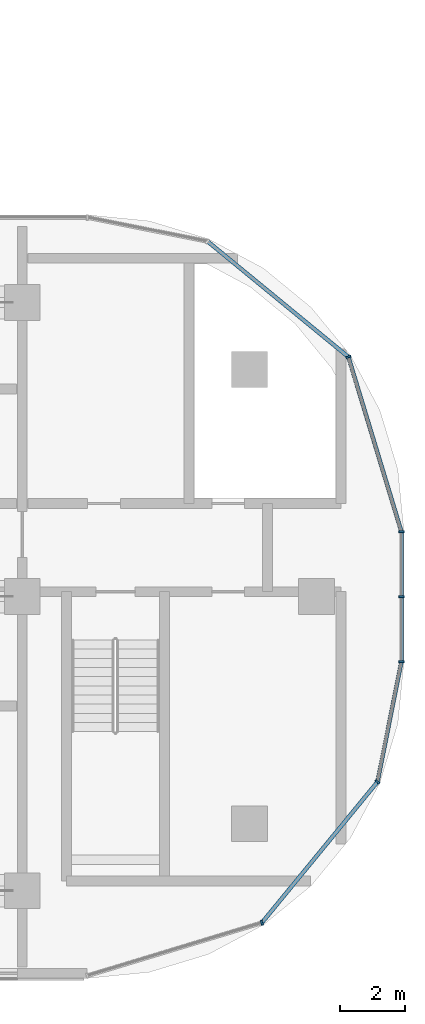
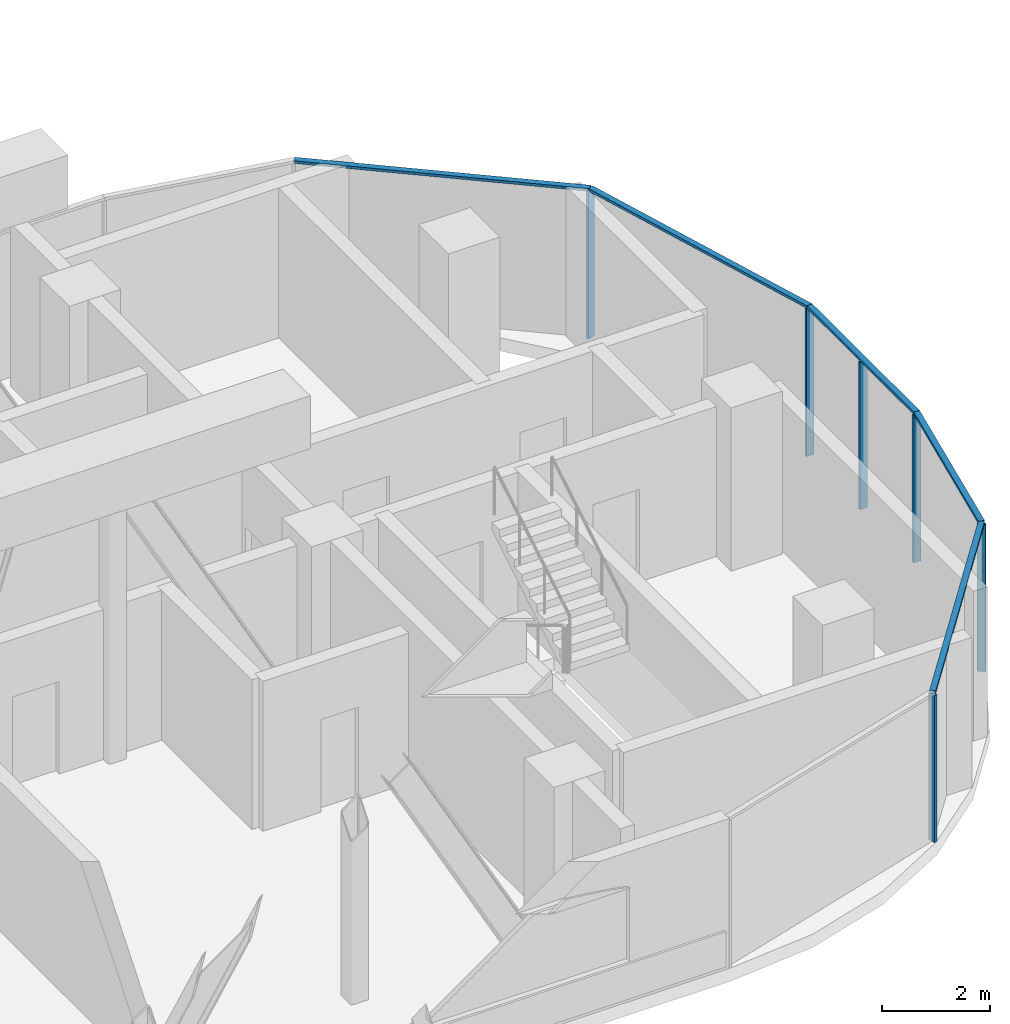
# One storey, part 7 of 25: 11 members, 3 elements without a shape of their own.
"""IFC4 building model written with IfcOpenShell, lengths in metres."""

from ifc_helpers import new_model, si_unit, direction, frame, origin, origin_2d, place, context, subcontext, project, spatial, rectangle, extrude, material, material_profile, profile_set, type_object, element, aggregate, save


model = new_model("IFC4")

# Units and contexts
model_context = context("Model", 3, precision=1e-05, world=origin(), true_north=direction((0.0, 1.0)))
body_context = subcontext(model_context, "Body", "Model", "MODEL_VIEW")
ifc_project = project(units=[si_unit("LENGTHUNIT", "METRE"), si_unit("AREAUNIT", "SQUARE_METRE"), si_unit("VOLUMEUNIT", "CUBIC_METRE"), si_unit("PLANEANGLEUNIT", "RADIAN"), si_unit("MASSUNIT", "GRAM", prefix="KILO")], contexts=[model_context])

# Site, building, storey
site_placement = place(None, origin())
site = spatial("IfcSite", under=ifc_project, at=site_placement, CompositionType="ELEMENT")
building_placement = place(site_placement, origin())
building = spatial("IfcBuilding", under=site, at=building_placement, Name="Ogive Portal Towers", CompositionType="ELEMENT")
storey_placement = place(building_placement, frame((0.0, 0.0, 182.89990234375)))
storey = spatial("IfcBuildingStorey", under=building, at=storey_placement, Name="L45", CompositionType="ELEMENT", Elevation=182.89990234375)

# Curtain wall, members
ifc_material_1 = material(Name="Glass, clear low-iron insulated glazing", Category="glass")
curtain_wall_type = type_object("IfcCurtainWallType", Name="CW FRONT RIBBON 4500", PredefinedType="NOTDEFINED", material=ifc_material_1)
curtain_wall_1_placement = place(storey_placement, origin())
curtain_wall_1 = element("IfcCurtainWall", 1, at=curtain_wall_1_placement, inside=storey, type_object=curtain_wall_type, Name="A:L45:f12:cw0", PredefinedType="NOTDEFINED")
ifc_material_2 = material(Name="Aluminium 6063 anodised", Category="aluminium")
ifc_material_profile_1 = material_profile(ifc_material_2, rectangle(XDim=0.159912109375, YDim=0.06005859375, at=origin_2d()), Name="AL 60x160")
ifc_profile_set_1 = profile_set([ifc_material_profile_1], Name="Aluminium 6063 anodised")
member_type_1 = type_object("IfcMemberType", Name="CW MULLION 60x160", PredefinedType="MULLION", material=ifc_profile_set_1)
member_1_placement = place(storey_placement, frame((97.10009765625, 28.5078125, 0.0), z_axis=(0.0, 0.0, 1.0), x_axis=(-1.0, 0.0, 0.0)))
member_1 = element("IfcMember", 2, at=member_1_placement, type_object=member_type_1, Name="mullion", PredefinedType="MULLION", context=body_context, shape_type="SweptSolid", body=[
    extrude(rectangle(XDim=0.159912109375, YDim=0.06005859375, at=origin_2d()), origin(), (0.0, 0.0, 1.0), 3.340087890625),
])
member_2_placement = place(storey_placement, frame((97.10009765625, 30.5, 0.0), z_axis=(0.0, 0.0, 1.0), x_axis=(-1.0, 0.0, 0.0)))
member_2 = element("IfcMember", 3, at=member_2_placement, type_object=member_type_1, Name="mullion", PredefinedType="MULLION", context=body_context, shape_type="SweptSolid", body=[
    extrude(rectangle(XDim=0.159912109375, YDim=0.06005859375, at=origin_2d()), origin(), (0.0, 0.0, 1.0), 3.340087890625),
])
member_3_placement = place(storey_placement, frame((97.10009765625, 32.488037109375, 0.0), z_axis=(0.0, 0.0, 1.0), x_axis=(-1.0, 0.0, 0.0)))
member_3 = element("IfcMember", 4, at=member_3_placement, type_object=member_type_1, Name="mullion", PredefinedType="MULLION", context=body_context, shape_type="SweptSolid", body=[
    extrude(rectangle(XDim=0.159912109375, YDim=0.06005859375, at=origin_2d()), origin(), (0.0, 0.0, 1.0), 3.340087890625),
])

curtain_wall_2_placement = place(storey_placement, origin())
curtain_wall_2 = element("IfcCurtainWall", 5, at=curtain_wall_2_placement, inside=storey, type_object=curtain_wall_type, Name="A:L45:f09:cwa", PredefinedType="NOTDEFINED")
member_4_placement = place(storey_placement, frame((92.83154296875, 20.52099609375, 0.0), z_axis=(0.0, 0.0, 1.0), x_axis=(-0.290284677254, 0.956940335732, 0.0)))
member_4 = element("IfcMember", 6, at=member_4_placement, type_object=member_type_1, Name="mullion", PredefinedType="MULLION", context=body_context, shape_type="SweptSolid", body=[
    extrude(rectangle(XDim=0.159912109375, YDim=0.06005859375, at=origin_2d()), origin(), (0.0, 0.0, 1.0), 3.340087890625),
])
member_5_placement = place(storey_placement, frame((96.36865234375, 24.830810546875, 0.0), z_axis=(0.0, 0.0, 1.0), x_axis=(-0.773010453363, 0.634393284164, 0.0)))
member_5 = element("IfcMember", 7, at=member_5_placement, type_object=member_type_1, Name="mullion", PredefinedType="MULLION", context=body_context, shape_type="SweptSolid", body=[
    extrude(rectangle(XDim=0.159912109375, YDim=0.06005859375, at=origin_2d()), origin(), (0.0, 0.0, 1.0), 3.340087890625),
])

# Curtain wall, member
curtain_wall_3_placement = place(storey_placement, origin())
curtain_wall_3 = element("IfcCurtainWall", 8, at=curtain_wall_3_placement, inside=storey, type_object=curtain_wall_type, Name="A:L45:f13:cwa", PredefinedType="NOTDEFINED")
member_6_placement = place(storey_placement, frame((95.47900390625, 37.83154296875, 0.0), z_axis=(0.0, 0.0, 1.0), x_axis=(-0.956940335732, -0.290284677254, 0.0)))
member_6 = element("IfcMember", 9, at=member_6_placement, type_object=member_type_1, Name="mullion", PredefinedType="MULLION", context=body_context, shape_type="SweptSolid", body=[
    extrude(rectangle(XDim=0.159912109375, YDim=0.06005859375, at=origin_2d()), origin(), (0.0, 0.0, 1.0), 3.340087890625),
])

# Member
ifc_material_profile_2 = material_profile(ifc_material_2, rectangle(XDim=0.1201171875, YDim=0.06005859375, at=origin_2d()), Name="AL 120x60")
ifc_profile_set_2 = profile_set([ifc_material_profile_2], Name="Aluminium 6063 anodised")
member_type_2 = type_object("IfcMemberType", Name="CW TRANSOM 60x120", PredefinedType="USERDEFINED", material=ifc_profile_set_2)
member_7_placement = place(storey_placement, frame((97.10009765625, 28.5078125, 3.3701171875), z_axis=(0.0, 1.0, 0.0), x_axis=(-1.0, 0.0, 0.0)))
member_7 = element("IfcMember", 10, at=member_7_placement, type_object=member_type_2, Name="transom", ObjectType="TRANSOM", PredefinedType="USERDEFINED", context=body_context, shape_type="SweptSolid", body=[
    extrude(rectangle(XDim=0.1201171875, YDim=0.06005859375, at=origin_2d()), origin(), (0.0, 0.0, 1.0), 3.980224609375),
])

aggregate(curtain_wall_1, [member_7, member_1, member_2, member_3])

member_8_placement = place(storey_placement, frame((92.83154296875, 20.52099609375, 3.3701171875), z_axis=(0.634407866289, 0.772998485892, 0.0), x_axis=(-0.772998485892, 0.634407866289, 0.0)))
member_8 = element("IfcMember", 11, at=member_8_placement, type_object=member_type_2, Name="transom", ObjectType="TRANSOM", PredefinedType="USERDEFINED", context=body_context, shape_type="SweptSolid", body=[
    extrude(rectangle(XDim=0.1201171875, YDim=0.06005859375, at=origin_2d()), origin(), (0.0, 0.0, 1.0), 5.575439453125),
])

member_9_placement = place(storey_placement, frame((96.36865234375, 24.830810546875, 3.3701171875), z_axis=(0.195101649899, 0.980783027079, 0.0), x_axis=(-0.980783027079, 0.195101649899, 0.0)))
member_9 = element("IfcMember", 12, at=member_9_placement, type_object=member_type_2, Name="transom", ObjectType="TRANSOM", PredefinedType="USERDEFINED", context=body_context, shape_type="SweptSolid", body=[
    extrude(rectangle(XDim=0.1201171875, YDim=0.06005859375, at=origin_2d()), origin(), (0.0, 0.0, 1.0), 3.7490234375),
])

aggregate(curtain_wall_2, [member_8, member_9, member_4, member_5])

member_10_placement = place(storey_placement, frame((97.10009765625, 32.488037109375, 3.3701171875), z_axis=(-0.290310746868, 0.956932427214, 0.0), x_axis=(-0.956932427214, -0.290310746868, 0.0)))
member_10 = element("IfcMember", 13, at=member_10_placement, type_object=member_type_2, Name="transom", ObjectType="TRANSOM", PredefinedType="USERDEFINED", context=body_context, shape_type="SweptSolid", body=[
    extrude(rectangle(XDim=0.1201171875, YDim=0.06005859375, at=origin_2d()), origin(), (0.0, 0.0, 1.0), 5.583984375),
])

member_11_placement = place(storey_placement, frame((95.47900390625, 37.83154296875, 3.3701171875), z_axis=(-0.772998485892, 0.634407866289, 0.0), x_axis=(-0.634407866289, -0.772998485892, 0.0)))
member_11 = element("IfcMember", 14, at=member_11_placement, type_object=member_type_2, Name="transom", ObjectType="TRANSOM", PredefinedType="USERDEFINED", context=body_context, shape_type="SweptSolid", body=[
    extrude(rectangle(XDim=0.1201171875, YDim=0.06005859375, at=origin_2d()), origin(), (0.0, 0.0, 1.0), 5.575439453125),
])

aggregate(curtain_wall_3, [member_10, member_11, member_6])

save(model, "model.ifc")
